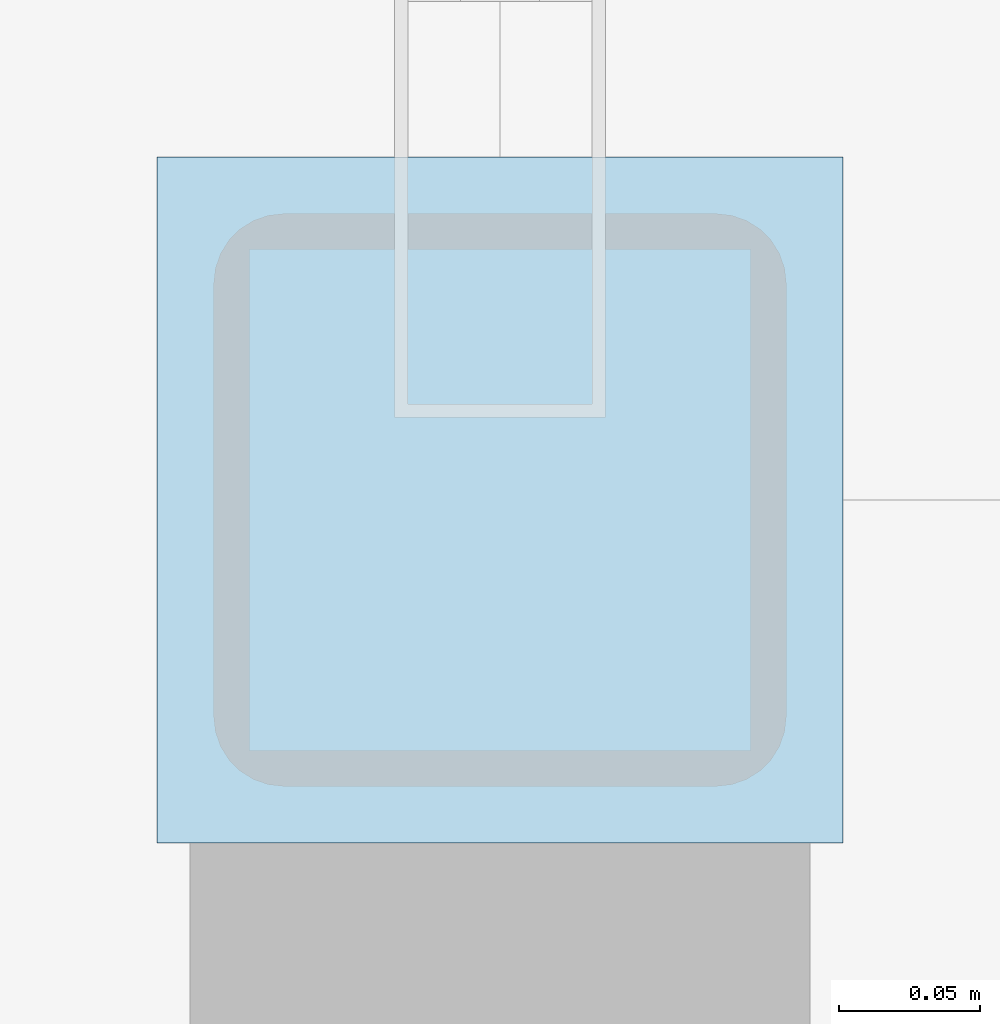
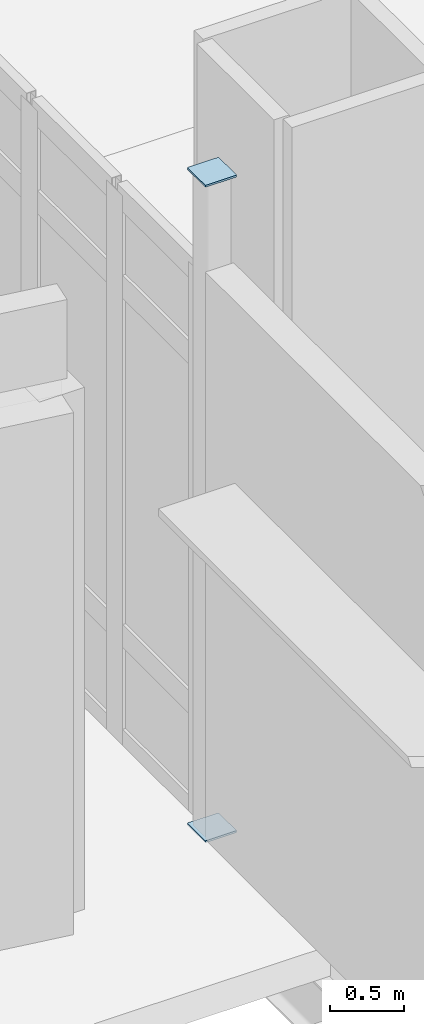
# One storey, part 165 of 229: 2 plates.
"""IFC4 building model written with IfcOpenShell, lengths in metres."""

from ifc_helpers import new_model, si_unit, direction, frame, origin, origin_2d, place, context, subcontext, project, spatial, rectangle, extrude, material, layer, layer_set, type_object, element, save


model = new_model("IFC4")

# Units and contexts
model_context = context("Model", 3, precision=1e-05, world=origin(), true_north=direction((0.0, 1.0)))
body_context = subcontext(model_context, "Body", "Model", "MODEL_VIEW")
ifc_project = project(units=[si_unit("LENGTHUNIT", "METRE"), si_unit("AREAUNIT", "SQUARE_METRE"), si_unit("VOLUMEUNIT", "CUBIC_METRE"), si_unit("PLANEANGLEUNIT", "RADIAN"), si_unit("MASSUNIT", "GRAM", prefix="KILO")], contexts=[model_context])

# Site, building, storey
site_placement = place(None, origin())
site = spatial("IfcSite", under=ifc_project, at=site_placement, CompositionType="ELEMENT")
building_placement = place(site_placement, origin())
building = spatial("IfcBuilding", under=site, at=building_placement, Name="Calvrana Isthmian Art Gallery", CompositionType="ELEMENT")
storey_placement = place(building_placement, origin())
storey = spatial("IfcBuildingStorey", under=building, at=storey_placement, Name="L00", CompositionType="ELEMENT", Elevation=0.0)

# Plates
ifc_material = material(Name="Steel ASTM A572 Gr 50", Category="steel")
ifc_layer = layer(ifc_material, 0.01611328125, Name="Steel ASTM A572 Gr 50")
ifc_layer_set = layer_set([ifc_layer], Name="Steel ASTM A572 Gr 50")
plate_type = type_object("IfcPlateType", Name="PL-CAP-16", PredefinedType="SHEET", material=ifc_layer_set)
for number, where, z_axis, x_axis, name in (
    (1, (63.60009765625, 14.39990234375, -0.008056640625), (0.0, 0.0, 1.0), (1.0, 0.0, 0.0), "Hollow section end cap plate 129"),
    (2, (63.60009765625, 14.39990234375, 5.391845703125), (0.0, 0.0, 1.0), (1.0, 0.0, 0.0), "Hollow section end cap plate 130"),
):
    element("IfcPlate", number, at=place(storey_placement, frame(where, z_axis=z_axis, x_axis=x_axis)), inside=storey, type_object=plate_type, Name=name, PredefinedType="SHEET", context=body_context, shape_type="SweptSolid", body=[
        extrude(rectangle(XDim=0.2431640625, YDim=0.2431640625, at=origin_2d()), origin(), (0.0, 0.0, 1.0), 0.01611328125),
    ])

save(model, "model.ifc")
